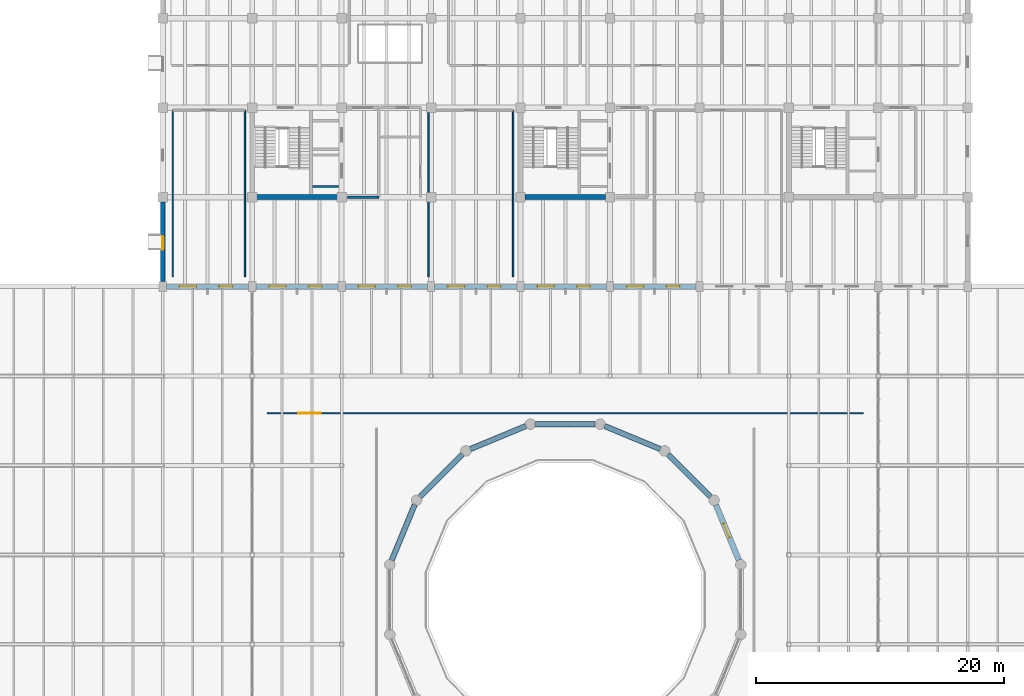
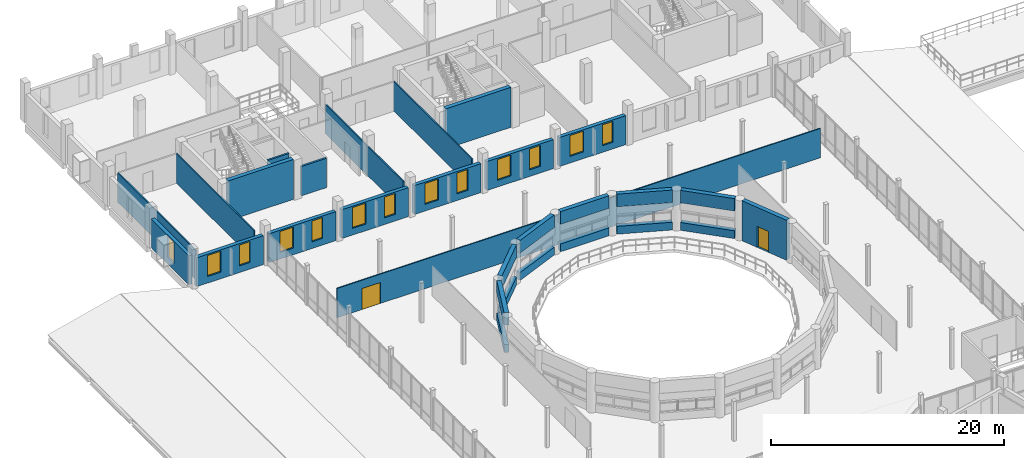
# One storey, part 51 of 63: 29 walls, 13 windows, 2 doors, 15 openings.
"""IFC4 building model written with IfcOpenShell, lengths in metres."""

import ifcopenshell
import ifcopenshell.guid

model = None  # the IFC model being written
_history = None  # IfcOwnerHistory: only IFC2X3 demands one
_inside = {}  # id of a spatial element -> (the spatial element, [elements in it])
_under = {}  # id of a project, library or spatial element -> (it, [spatial elements below it])
_declared = {}  # id of a project -> (the project, [libraries it declares])
_typed = {}  # id of a type object -> (the type object, [elements of that type])
_made_of = {}  # id of a material, layer set ... -> (it, [elements and type objects made of it])


def new_model(schema):
    """Start an empty IFC model of exactly this schema.

    Asked for "IFC4X3", IfcOpenShell would pick the latest addendum, in which some entities
    have other attributes; the version numbers below select the first issue.
    IFC2X3 requires an IfcOwnerHistory on every rooted entity: one is made here for all.
    """
    global model, _history
    if schema == "IFC4X3":
        model = ifcopenshell.file(schema_version=(4, 3, 0, 0))
    else:
        model = ifcopenshell.file(schema=schema)
    _inside.clear()
    _under.clear()
    _declared.clear()
    _typed.clear()
    _made_of.clear()
    _history = None
    if model.schema == "IFC2X3":
        org = make("IfcOrganization", Name="unknown")
        user = make(
            "IfcPersonAndOrganization",
            ThePerson=make("IfcPerson", FamilyName="unknown"),
            TheOrganization=org,
        )
        app = make(
            "IfcApplication",
            ApplicationDeveloper=org,
            Version="unknown",
            ApplicationFullName="unknown",
            ApplicationIdentifier="unknown",
        )
        _history = make(
            "IfcOwnerHistory",
            OwningUser=user,
            OwningApplication=app,
            ChangeAction="ADDED",
            CreationDate=0,
        )
    return model


def make(cls, **values):
    """One entity of the class cls with the attributes given. An attribute that is None is left unset."""
    return model.create_entity(
        cls, **{name: value for name, value in values.items() if value is not None}
    )


def rooted(cls, **values):
    """An entity with a GlobalId (a new one), such as an element, a storey or a relation."""
    return make(cls, GlobalId=ifcopenshell.guid.new(), OwnerHistory=_history, **values)


def si_unit(unit_type, name, prefix=None):
    """IfcSIUnit, for example si_unit("LENGTHUNIT", "METRE", prefix="MILLI")."""
    return make("IfcSIUnit", UnitType=unit_type, Prefix=prefix, Name=name)


def assignment(units):
    """IfcUnitAssignment: the units of a project."""
    return None if units is None else make("IfcUnitAssignment", Units=units)


def point(xyz):
    """IfcCartesianPoint."""
    return None if xyz is None else make("IfcCartesianPoint", Coordinates=xyz)


def direction(xyz):
    """IfcDirection."""
    return None if xyz is None else make("IfcDirection", DirectionRatios=xyz)


def frame(location, z_axis=None, x_axis=None):
    """IfcAxis2Placement3D, a coordinate frame: its origin and axes. An axis left out is left unset."""
    return make(
        "IfcAxis2Placement3D",
        Location=point(location),
        Axis=direction(z_axis),
        RefDirection=direction(x_axis),
    )


def frame_2d(location, x_axis=None):
    """IfcAxis2Placement2D, a coordinate frame in the plane: its origin and x axis."""
    return make(
        "IfcAxis2Placement2D", Location=point(location), RefDirection=direction(x_axis)
    )


def origin():
    """The frame at (0, 0, 0) with its axes left unset."""
    return frame((0.0, 0.0, 0.0))


def place(relative_to, where):
    """IfcLocalPlacement: puts the frame where relative to a parent placement (None: the world)."""
    return make(
        "IfcLocalPlacement", PlacementRelTo=relative_to, RelativePlacement=where
    )


def context(
    kind, dimensions, precision=None, world=None, true_north=None, identifier=None
):
    """IfcGeometricRepresentationContext, for example the 3D "Model" context."""
    return make(
        "IfcGeometricRepresentationContext",
        ContextIdentifier=identifier,
        ContextType=kind,
        CoordinateSpaceDimension=dimensions,
        Precision=precision,
        WorldCoordinateSystem=world,
        TrueNorth=true_north,
    )


def subcontext(parent, identifier, kind, view, scale=None):
    """IfcGeometricRepresentationSubContext, for example "Body" below "Model"."""
    return make(
        "IfcGeometricRepresentationSubContext",
        ContextIdentifier=identifier,
        ContextType=kind,
        ParentContext=parent,
        TargetScale=scale,
        TargetView=view,
    )


def project(units=None, contexts=None):
    """IfcProject with its units and contexts."""
    return rooted(
        "IfcProject",
        Name="project",
        RepresentationContexts=contexts,
        UnitsInContext=assignment(units),
    )


def spatial(cls, under=None, at=None, **own):
    """A site, building, storey or space (cls), placed at a placement, below another one or the project."""
    s = rooted(cls, ObjectPlacement=at, **own)
    if under is not None:
        _under.setdefault(under.id(), (under, []))[1].append(s)
    return s


def profile(cls, at=None, kind="AREA", **sizes):
    """A parametric profile (cls). Its sizes go by their IFC names, for example OverallWidth=200.0."""
    return make(cls, ProfileType=kind, Position=at, **sizes)


def rectangle(**sizes):
    """IfcRectangleProfileDef."""
    return profile("IfcRectangleProfileDef", **sizes)


def extrude(swept, where, along, depth):
    """IfcExtrudedAreaSolid: the profile swept, set in the frame where, extruded along a direction by depth."""
    return make(
        "IfcExtrudedAreaSolid",
        SweptArea=swept,
        Position=where,
        ExtrudedDirection=direction(along),
        Depth=depth,
    )


def shape(context_of_items, identifier, shape_type, items):
    """IfcShapeRepresentation: the items that make up one representation, for example the "Body"."""
    return make(
        "IfcShapeRepresentation",
        ContextOfItems=context_of_items,
        RepresentationIdentifier=identifier,
        RepresentationType=shape_type,
        Items=items,
    )


def material(Name=None, Category=None):
    """IfcMaterial."""
    return make("IfcMaterial", Name=Name, Category=Category)


def layer(
    of_material, thickness, ventilated=None, Name=None, Category=None, Priority=None
):
    """IfcMaterialLayer: one layer of a wall or slab, of a material (None: an air gap)."""
    return make(
        "IfcMaterialLayer",
        Material=of_material,
        LayerThickness=thickness,
        IsVentilated=ventilated,
        Name=Name,
        Category=Category,
        Priority=Priority,
    )


def layer_set(layers, Name=None):
    """IfcMaterialLayerSet."""
    return make("IfcMaterialLayerSet", MaterialLayers=layers, LayerSetName=Name)


def made_of(thing, what):
    """Note that an element or type object is made of a material, layer set ...; save() writes the relation."""
    if what is not None:
        _made_of.setdefault(what.id(), (what, []))[1].append(thing)
    return thing


def type_object(cls, material=None, **own):
    """A type object (cls), such as IfcWallType, which elements share."""
    return made_of(rooted(cls, **own), material)


def element(
    cls,
    number,
    at=None,
    inside=None,
    cuts=None,
    type_object=None,
    material=None,
    context=None,
    identifier="Body",
    shape_type=None,
    held_by="IfcProductDefinitionShape",
    body=None,
    shapes=None,
    **own,
):
    """One element of the class cls, such as IfcWall. Its Tag is "e" and its number.

    at: its placement. inside: the storey or other place that contains it. cuts: it is an
    opening in that element (IfcRelVoidsElement). A single representation is given by context,
    identifier, shape_type and body (its items); several are given by shapes. held_by: the class
    of the entity that holds the representations. save() writes the other relations.
    """
    e = rooted(cls, Tag="e%d" % number, ObjectPlacement=at, **own)
    if body is not None:
        shapes = [shape(context, identifier, shape_type, body)]
    if shapes is not None:
        e.Representation = make(held_by, Representations=shapes)
    if inside is not None:
        _inside.setdefault(inside.id(), (inside, []))[1].append(e)
    if cuts is not None:
        rooted(
            "IfcRelVoidsElement", RelatingBuildingElement=cuts, RelatedOpeningElement=e
        )
    if type_object is not None:
        _typed.setdefault(type_object.id(), (type_object, []))[1].append(e)
    return made_of(e, material)


def fill(opening, filler):
    """IfcRelFillsElement: the door or window that sits in an opening."""
    return rooted(
        "IfcRelFillsElement",
        RelatingOpeningElement=opening,
        RelatedBuildingElement=filler,
    )


def aggregate(whole, parts):
    """IfcRelAggregates: a whole, such as a stair, and the parts it consists of."""
    return rooted("IfcRelAggregates", RelatingObject=whole, RelatedObjects=parts)


def save(model, path):
    """Write the relations noted so far, then the file.

    IfcRelAggregates (storeys below a building ...), IfcRelContainedInSpatialStructure (elements
    in a storey), IfcRelDefinesByType, IfcRelAssociatesMaterial and IfcRelDeclares: one each for
    every whole, place, type object, material and project.
    """
    for whole, parts in _under.values():
        aggregate(whole, parts)
    for where, things in _inside.values():
        rooted(
            "IfcRelContainedInSpatialStructure",
            RelatedElements=things,
            RelatingStructure=where,
        )
    for kind, things in _typed.values():
        rooted("IfcRelDefinesByType", RelatedObjects=things, RelatingType=kind)
    for what, things in _made_of.values():
        rooted("IfcRelAssociatesMaterial", RelatedObjects=things, RelatingMaterial=what)
    for by, libraries in _declared.values():
        rooted("IfcRelDeclares", RelatingContext=by, RelatedDefinitions=libraries)
    model.write(path)


model = new_model("IFC4")

# Units and contexts
model_context = context("Model", 3, precision=1e-05, world=origin(), true_north=direction((0.0, 1.0)))
body_context = subcontext(model_context, "Body", "Model", "MODEL_VIEW")
ifc_project = project(units=[si_unit("LENGTHUNIT", "METRE"), si_unit("AREAUNIT", "SQUARE_METRE"), si_unit("VOLUMEUNIT", "CUBIC_METRE"), si_unit("PLANEANGLEUNIT", "RADIAN"), si_unit("MASSUNIT", "GRAM", prefix="KILO")], contexts=[model_context])

# Site, building, storey
site_placement = place(None, origin())
site = spatial("IfcSite", under=ifc_project, at=site_placement, CompositionType="ELEMENT")
building_placement = place(site_placement, origin())
building = spatial("IfcBuilding", under=site, at=building_placement, Name="Qiaolan Assembly House", CompositionType="ELEMENT")
storey_placement = place(building_placement, frame((0.0, 0.0, 14.39990234375)))
storey = spatial("IfcBuildingStorey", under=building, at=storey_placement, Name="L03", CompositionType="ELEMENT", Elevation=14.39990234375)

# Walls
ifc_material_1 = material(Name="Concrete C45/55", Category="concrete")
ifc_layer_1 = layer(ifc_material_1, 0.39990234375)
ifc_layer_set_1 = layer_set([ifc_layer_1], Name="Concrete C45/55")
wall_type_1 = type_object("IfcWallType", Name="WAL-CORE-400", PredefinedType="SHEAR", material=ifc_layer_set_1)
for number, where, z_axis, x_axis, name in (
    (1, (43.550048828125, 93.60009765625, 0.0), (0.0, 0.0, 1.0), (1.0, 0.0, 0.0), "CW-400 shear core wall CORE-A S L03"),
    (2, (65.14990234375, 93.60009765625, 0.0), (0.0, 0.0, 1.0), (1.0, 0.0, 0.0), "CW-400 shear core wall CORE-B S L03"),
):
    element("IfcWall", number, at=place(storey_placement, frame(where, z_axis=z_axis, x_axis=x_axis)), inside=storey, type_object=wall_type_1, Name=name, PredefinedType="SHEAR", context=body_context, shape_type="SweptSolid", body=[
        extrude(rectangle(XDim=6.5, YDim=0.39990234375, at=frame_2d((3.25, 0.0))), origin(), (0.0, 0.0, 1.0), 4.2001953125),
    ])

# Wall, opening, door
ifc_material_2 = material(Name="Concrete C50/60", Category="concrete")
ifc_layer_2 = layer(ifc_material_2, 0.419921875)
ifc_layer_set_2 = layer_set([ifc_layer_2], Name="Concrete C50/60")
wall_type_2 = type_object("IfcWallType", Name="WAL-DRUM-420", PredefinedType="SHEAR", material=ifc_layer_set_2)
wall_1_placement = place(storey_placement, frame((80.526123046875, 68.83056640625, 0.0), z_axis=(0.0, 0.0, 1.0), x_axis=(0.382693375129, -0.923875414021, 0.0)))
wall_1 = element("IfcWall", 3, at=wall_1_placement, inside=storey, type_object=wall_type_2, Name="DW-420 council chamber drum acoustic access wall 1 L03", PredefinedType="SHEAR", context=body_context, shape_type="SweptSolid", body=[
    extrude(rectangle(XDim=4.818359375, YDim=0.419921875, at=frame_2d((2.4091796875, 0.0))), origin(), (0.0, 0.0, 1.0), 4.2001953125),
])
opening_1_placement = place(wall_1_placement, frame((1.64990234375, 0.0, 0.0)))
opening_1 = element("IfcOpeningElement", 4, at=opening_1_placement, cuts=wall_1, Name="Opening FD-803", PredefinedType="OPENING", context=body_context, shape_type="SweptSolid", body=[
    extrude(rectangle(XDim=1.199951171875, YDim=2.199951171875, at=frame_2d((0.60009765625, 1.10009765625))), frame((0.0, 0.219970703125, 0.0), z_axis=(0.0, -1.0, 0.0), x_axis=(1.0, 0.0, 0.0)), (0.0, 0.0, 1.0), 0.43994140625),
])
ifc_material_3 = material(Name="Steel Q355B", Category="steel")
door_type_1 = type_object("IfcDoorType", Name="DOR-FIRE-FD90-1200", OperationType="NOTDEFINED", PredefinedType="DOOR", material=ifc_material_3)
door_1_placement = place(opening_1_placement, origin())
door_1 = element("IfcDoor", 5, at=door_1_placement, inside=storey, type_object=door_type_1, Name="Chamber Clerestory Acoustic Ring access door FD-803", OperationType="SINGLE_SWING_RIGHT", OverallHeight=2.199951171875, OverallWidth=1.199951171875, PredefinedType="DOOR", context=body_context, shape_type="SweptSolid", body=[
    extrude(rectangle(XDim=1.199951171875, YDim=2.199951171875, at=frame_2d((0.60009765625, 1.10009765625))), frame((0.0, 0.02490234375, 0.0), z_axis=(0.0, -1.0, 0.0), x_axis=(1.0, 0.0, 0.0)), (0.0, 0.0, 1.0), 0.050048828125),
])
fill(opening_1, door_1)

# Walls
wall_2_placement = place(storey_placement, frame((76.68310546875, 72.890380859375, 0.0), z_axis=(0.0, 0.0, 1.0), x_axis=(0.707106781187, -0.707106781187, 0.0)))
element("IfcWall", 6, at=wall_2_placement, inside=storey, type_object=wall_type_2, Name="DW-420 council chamber drum sill wall 2 L03", PredefinedType="SHEAR", context=body_context, shape_type="SweptSolid", body=[
    extrude(rectangle(XDim=4.818603515625, YDim=0.419921875, at=frame_2d((2.4091796875, 0.0))), origin(), (0.0, 0.0, 1.0), 0.820068359375),
])
wall_3_placement = place(storey_placement, frame((76.68310546875, 72.890380859375, 2.880126953125), z_axis=(0.0, 0.0, 1.0), x_axis=(0.707106781187, -0.707106781187, 0.0)))
element("IfcWall", 7, at=wall_3_placement, inside=storey, type_object=wall_type_2, Name="DW-420 council chamber drum lintel wall 2 L03", PredefinedType="SHEAR", context=body_context, shape_type="SweptSolid", body=[
    extrude(rectangle(XDim=4.818603515625, YDim=0.419921875, at=frame_2d((2.4091796875, 0.0))), origin(), (0.0, 0.0, 1.0), 1.320068359375),
])
wall_4_placement = place(storey_placement, frame((71.578857421875, 75.170166015625, 0.0), z_axis=(0.0, 0.0, 1.0), x_axis=(0.923882834003, -0.382675461762, 0.0)))
element("IfcWall", 8, at=wall_4_placement, inside=storey, type_object=wall_type_2, Name="DW-420 council chamber drum sill wall 3 L03", PredefinedType="SHEAR", context=body_context, shape_type="SweptSolid", body=[
    extrude(rectangle(XDim=4.818603515625, YDim=0.419921875, at=frame_2d((2.4091796875, 0.0))), origin(), (0.0, 0.0, 1.0), 0.820068359375),
])
wall_5_placement = place(storey_placement, frame((71.578857421875, 75.170166015625, 2.880126953125), z_axis=(0.0, 0.0, 1.0), x_axis=(0.923882834003, -0.382675461762, 0.0)))
element("IfcWall", 9, at=wall_5_placement, inside=storey, type_object=wall_type_2, Name="DW-420 council chamber drum lintel wall 3 L03", PredefinedType="SHEAR", context=body_context, shape_type="SweptSolid", body=[
    extrude(rectangle(XDim=4.818603515625, YDim=0.419921875, at=frame_2d((2.4091796875, 0.0))), origin(), (0.0, 0.0, 1.0), 1.320068359375),
])
wall_6_placement = place(storey_placement, frame((65.99072265625, 75.3232421875, 0.0), z_axis=(0.0, 0.0, 1.0), x_axis=(1.0, 0.0, 0.0)))
element("IfcWall", 10, at=wall_6_placement, inside=storey, type_object=wall_type_2, Name="DW-420 council chamber drum sill wall 4 L03", PredefinedType="SHEAR", context=body_context, shape_type="SweptSolid", body=[
    extrude(rectangle(XDim=4.818603515625, YDim=0.419921875, at=frame_2d((2.4091796875, 0.0))), origin(), (0.0, 0.0, 1.0), 0.820068359375),
])
wall_7_placement = place(storey_placement, frame((65.99072265625, 75.3232421875, 2.880126953125), z_axis=(0.0, 0.0, 1.0), x_axis=(1.0, 0.0, 0.0)))
element("IfcWall", 11, at=wall_7_placement, inside=storey, type_object=wall_type_2, Name="DW-420 council chamber drum lintel wall 4 L03", PredefinedType="SHEAR", context=body_context, shape_type="SweptSolid", body=[
    extrude(rectangle(XDim=4.818603515625, YDim=0.419921875, at=frame_2d((2.4091796875, 0.0))), origin(), (0.0, 0.0, 1.0), 1.320068359375),
])
wall_8_placement = place(storey_placement, frame((60.769287109375, 73.326171875, 0.0), z_axis=(0.0, 0.0, 1.0), x_axis=(0.923882834003, 0.382675461762, 0.0)))
element("IfcWall", 12, at=wall_8_placement, inside=storey, type_object=wall_type_2, Name="DW-420 council chamber drum sill wall 5 L03", PredefinedType="SHEAR", context=body_context, shape_type="SweptSolid", body=[
    extrude(rectangle(XDim=4.818603515625, YDim=0.419921875, at=frame_2d((2.4091796875, 0.0))), origin(), (0.0, 0.0, 1.0), 0.820068359375),
])
wall_9_placement = place(storey_placement, frame((60.769287109375, 73.326171875, 2.880126953125), z_axis=(0.0, 0.0, 1.0), x_axis=(0.923882834003, 0.382675461762, 0.0)))
element("IfcWall", 13, at=wall_9_placement, inside=storey, type_object=wall_type_2, Name="DW-420 council chamber drum lintel wall 5 L03", PredefinedType="SHEAR", context=body_context, shape_type="SweptSolid", body=[
    extrude(rectangle(XDim=4.818603515625, YDim=0.419921875, at=frame_2d((2.4091796875, 0.0))), origin(), (0.0, 0.0, 1.0), 1.320068359375),
])
wall_10_placement = place(storey_placement, frame((56.709716796875, 69.483154296875, 0.0), z_axis=(0.0, 0.0, 1.0), x_axis=(0.707106781187, 0.707106781187, 0.0)))
element("IfcWall", 14, at=wall_10_placement, inside=storey, type_object=wall_type_2, Name="DW-420 council chamber drum sill wall 6 L03", PredefinedType="SHEAR", context=body_context, shape_type="SweptSolid", body=[
    extrude(rectangle(XDim=4.818603515625, YDim=0.419921875, at=frame_2d((2.4091796875, 0.0))), origin(), (0.0, 0.0, 1.0), 0.820068359375),
])
wall_11_placement = place(storey_placement, frame((56.709716796875, 69.483154296875, 2.880126953125), z_axis=(0.0, 0.0, 1.0), x_axis=(0.707106781187, 0.707106781187, 0.0)))
element("IfcWall", 15, at=wall_11_placement, inside=storey, type_object=wall_type_2, Name="DW-420 council chamber drum lintel wall 6 L03", PredefinedType="SHEAR", context=body_context, shape_type="SweptSolid", body=[
    extrude(rectangle(XDim=4.818603515625, YDim=0.419921875, at=frame_2d((2.4091796875, 0.0))), origin(), (0.0, 0.0, 1.0), 1.320068359375),
])
wall_12_placement = place(storey_placement, frame((54.4296875, 64.37890625, 0.0), z_axis=(0.0, 0.0, 1.0), x_axis=(0.382693375129, 0.923875414021, 0.0)))
element("IfcWall", 16, at=wall_12_placement, inside=storey, type_object=wall_type_2, Name="DW-420 council chamber drum sill wall 7 L03", PredefinedType="SHEAR", context=body_context, shape_type="SweptSolid", body=[
    extrude(rectangle(XDim=4.818359375, YDim=0.419921875, at=frame_2d((2.4091796875, 0.0))), origin(), (0.0, 0.0, 1.0), 0.820068359375),
])
wall_13_placement = place(storey_placement, frame((54.4296875, 64.37890625, 2.880126953125), z_axis=(0.0, 0.0, 1.0), x_axis=(0.382693375129, 0.923875414021, 0.0)))
element("IfcWall", 17, at=wall_13_placement, inside=storey, type_object=wall_type_2, Name="DW-420 council chamber drum lintel wall 7 L03", PredefinedType="SHEAR", context=body_context, shape_type="SweptSolid", body=[
    extrude(rectangle(XDim=4.818359375, YDim=0.419921875, at=frame_2d((2.4091796875, 0.0))), origin(), (0.0, 0.0, 1.0), 1.320068359375),
])

# Wall, openings, windows
ifc_material_4 = material(Name="Honed pale limestone", Category="masonry")
ifc_layer_3 = layer(ifc_material_4, 0.360107421875)
ifc_layer_set_3 = layer_set([ifc_layer_3], Name="Honed pale limestone")
wall_type_3 = type_object("IfcWallType", Name="WAL-EXT-LIMESTONE-360", PredefinedType="SOLIDWALL", material=ifc_layer_set_3)
wall_14_placement = place(storey_placement, frame((36.2880859375, 86.39990234375, 0.0), z_axis=(0.0, 0.0, 1.0), x_axis=(1.0, 0.0, 0.0)))
wall_14 = element("IfcWall", 18, at=wall_14_placement, inside=storey, type_object=wall_type_3, Name="EW-360 NW South court wall L03 bay 1", PredefinedType="SOLIDWALL", context=body_context, shape_type="SweptSolid", body=[
    extrude(rectangle(XDim=6.6240234375, YDim=0.360107421875, at=frame_2d((3.31201171875, 0.0))), origin(), (0.0, 0.0, 1.0), 3.0400390625),
])
opening_2_placement = place(wall_14_placement, frame((1.06201171875, 0.0, 0.699951171875)))
opening_2 = element("IfcOpeningElement", 19, at=opening_2_placement, cuts=wall_14, Name="Opening WN-086", PredefinedType="OPENING", context=body_context, shape_type="SweptSolid", body=[
    extrude(rectangle(XDim=1.35009765625, YDim=2.18994140625, at=frame_2d((0.675048828125, 1.094970703125))), frame((0.0, 0.18994140625, 0.0), z_axis=(0.0, -1.0, 0.0), x_axis=(1.0, 0.0, 0.0)), (0.0, 0.0, 1.0), 0.380126953125),
])
opening_3_placement = place(wall_14_placement, frame((4.261962890625, 0.0, 0.699951171875)))
opening_3 = element("IfcOpeningElement", 20, at=opening_3_placement, cuts=wall_14, Name="Opening WN-087", PredefinedType="OPENING", context=body_context, shape_type="SweptSolid", body=[
    extrude(rectangle(XDim=1.050048828125, YDim=2.18994140625, at=frame_2d((0.52490234375, 1.094970703125))), frame((0.0, 0.18994140625, 0.0), z_axis=(0.0, -1.0, 0.0), x_axis=(1.0, 0.0, 0.0)), (0.0, 0.0, 1.0), 0.380126953125),
])
ifc_material_5 = material(Name="Low-E double insulating glass", Category="glass")
window_type_1 = type_object("IfcWindowType", Name="WIN-COURT-1350x2400", PartitioningType="DOUBLE_PANEL_VERTICAL", PredefinedType="WINDOW", material=ifc_material_5)
window_1_placement = place(opening_2_placement, origin())
window_1 = element("IfcWindow", 21, at=window_1_placement, inside=storey, type_object=window_type_1, Name="WN-T04 court window WN-086", OverallHeight=2.18994140625, OverallWidth=1.35009765625, PartitioningType="DOUBLE_PANEL_VERTICAL", PredefinedType="WINDOW", context=body_context, shape_type="SweptSolid", body=[
    extrude(rectangle(XDim=1.35009765625, YDim=2.18994140625, at=frame_2d((0.675048828125, 1.094970703125))), frame((0.0, 0.030029296875, 0.0), z_axis=(0.0, -1.0, 0.0), x_axis=(1.0, 0.0, 0.0)), (0.0, 0.0, 1.0), 0.06005859375),
])
fill(opening_2, window_1)
window_type_2 = type_object("IfcWindowType", Name="WIN-PUNCH-1050x2400", PartitioningType="SINGLE_PANEL", PredefinedType="WINDOW", material=ifc_material_5)
window_2_placement = place(opening_3_placement, origin())
window_2 = element("IfcWindow", 22, at=window_2_placement, inside=storey, type_object=window_type_2, Name="WN-T05 court window WN-087", OverallHeight=2.18994140625, OverallWidth=1.050048828125, PartitioningType="SINGLE_PANEL", PredefinedType="WINDOW", context=body_context, shape_type="SweptSolid", body=[
    extrude(rectangle(XDim=1.050048828125, YDim=2.18994140625, at=frame_2d((0.52490234375, 1.094970703125))), frame((0.0, 0.030029296875, 0.0), z_axis=(0.0, -1.0, 0.0), x_axis=(1.0, 0.0, 0.0)), (0.0, 0.0, 1.0), 0.06005859375),
])
fill(opening_3, window_2)

wall_15_placement = place(storey_placement, frame((43.488037109375, 86.39990234375, 0.0), z_axis=(0.0, 0.0, 1.0), x_axis=(1.0, 0.0, 0.0)))
wall_15 = element("IfcWall", 23, at=wall_15_placement, inside=storey, type_object=wall_type_3, Name="EW-360 NW South court wall L03 bay 2", PredefinedType="SOLIDWALL", context=body_context, shape_type="SweptSolid", body=[
    extrude(rectangle(XDim=6.6240234375, YDim=0.360107421875, at=frame_2d((3.31201171875, 0.0))), origin(), (0.0, 0.0, 1.0), 3.0400390625),
])
opening_4_placement = place(wall_15_placement, frame((1.06201171875, 0.0, 0.699951171875)))
opening_4 = element("IfcOpeningElement", 24, at=opening_4_placement, cuts=wall_15, Name="Opening WN-088", PredefinedType="OPENING", context=body_context, shape_type="SweptSolid", body=[
    extrude(rectangle(XDim=1.35009765625, YDim=2.18994140625, at=frame_2d((0.675048828125, 1.094970703125))), frame((0.0, 0.18994140625, 0.0), z_axis=(0.0, -1.0, 0.0), x_axis=(1.0, 0.0, 0.0)), (0.0, 0.0, 1.0), 0.380126953125),
])
opening_5_placement = place(wall_15_placement, frame((4.261962890625, 0.0, 0.699951171875)))
opening_5 = element("IfcOpeningElement", 25, at=opening_5_placement, cuts=wall_15, Name="Opening WN-089", PredefinedType="OPENING", context=body_context, shape_type="SweptSolid", body=[
    extrude(rectangle(XDim=1.050048828125, YDim=2.18994140625, at=frame_2d((0.52490234375, 1.094970703125))), frame((0.0, 0.18994140625, 0.0), z_axis=(0.0, -1.0, 0.0), x_axis=(1.0, 0.0, 0.0)), (0.0, 0.0, 1.0), 0.380126953125),
])
window_3_placement = place(opening_4_placement, origin())
window_3 = element("IfcWindow", 26, at=window_3_placement, inside=storey, type_object=window_type_1, Name="WN-T04 court window WN-088", OverallHeight=2.18994140625, OverallWidth=1.35009765625, PartitioningType="DOUBLE_PANEL_VERTICAL", PredefinedType="WINDOW", context=body_context, shape_type="SweptSolid", body=[
    extrude(rectangle(XDim=1.35009765625, YDim=2.18994140625, at=frame_2d((0.675048828125, 1.094970703125))), frame((0.0, 0.030029296875, 0.0), z_axis=(0.0, -1.0, 0.0), x_axis=(1.0, 0.0, 0.0)), (0.0, 0.0, 1.0), 0.06005859375),
])
fill(opening_4, window_3)
window_4_placement = place(opening_5_placement, origin())
window_4 = element("IfcWindow", 27, at=window_4_placement, inside=storey, type_object=window_type_2, Name="WN-T05 court window WN-089", OverallHeight=2.18994140625, OverallWidth=1.050048828125, PartitioningType="SINGLE_PANEL", PredefinedType="WINDOW", context=body_context, shape_type="SweptSolid", body=[
    extrude(rectangle(XDim=1.050048828125, YDim=2.18994140625, at=frame_2d((0.52490234375, 1.094970703125))), frame((0.0, 0.030029296875, 0.0), z_axis=(0.0, -1.0, 0.0), x_axis=(1.0, 0.0, 0.0)), (0.0, 0.0, 1.0), 0.06005859375),
])
fill(opening_5, window_4)

wall_16_placement = place(storey_placement, frame((50.68798828125, 86.39990234375, 0.0), z_axis=(0.0, 0.0, 1.0), x_axis=(1.0, 0.0, 0.0)))
wall_16 = element("IfcWall", 28, at=wall_16_placement, inside=storey, type_object=wall_type_3, Name="EW-360 NW South court wall L03 bay 3", PredefinedType="SOLIDWALL", context=body_context, shape_type="SweptSolid", body=[
    extrude(rectangle(XDim=6.6240234375, YDim=0.360107421875, at=frame_2d((3.31201171875, 0.0))), origin(), (0.0, 0.0, 1.0), 3.0400390625),
])
opening_6_placement = place(wall_16_placement, frame((1.06201171875, 0.0, 0.699951171875)))
opening_6 = element("IfcOpeningElement", 29, at=opening_6_placement, cuts=wall_16, Name="Opening WN-090", PredefinedType="OPENING", context=body_context, shape_type="SweptSolid", body=[
    extrude(rectangle(XDim=1.35009765625, YDim=2.18994140625, at=frame_2d((0.675048828125, 1.094970703125))), frame((0.0, 0.18994140625, 0.0), z_axis=(0.0, -1.0, 0.0), x_axis=(1.0, 0.0, 0.0)), (0.0, 0.0, 1.0), 0.380126953125),
])
opening_7_placement = place(wall_16_placement, frame((4.261962890625, 0.0, 0.699951171875)))
opening_7 = element("IfcOpeningElement", 30, at=opening_7_placement, cuts=wall_16, Name="Opening WN-091", PredefinedType="OPENING", context=body_context, shape_type="SweptSolid", body=[
    extrude(rectangle(XDim=1.050048828125, YDim=2.18994140625, at=frame_2d((0.52490234375, 1.094970703125))), frame((0.0, 0.18994140625, 0.0), z_axis=(0.0, -1.0, 0.0), x_axis=(1.0, 0.0, 0.0)), (0.0, 0.0, 1.0), 0.380126953125),
])
window_5_placement = place(opening_6_placement, origin())
window_5 = element("IfcWindow", 31, at=window_5_placement, inside=storey, type_object=window_type_1, Name="WN-T04 court window WN-090", OverallHeight=2.18994140625, OverallWidth=1.35009765625, PartitioningType="DOUBLE_PANEL_VERTICAL", PredefinedType="WINDOW", context=body_context, shape_type="SweptSolid", body=[
    extrude(rectangle(XDim=1.35009765625, YDim=2.18994140625, at=frame_2d((0.675048828125, 1.094970703125))), frame((0.0, 0.030029296875, 0.0), z_axis=(0.0, -1.0, 0.0), x_axis=(1.0, 0.0, 0.0)), (0.0, 0.0, 1.0), 0.06005859375),
])
fill(opening_6, window_5)
window_6_placement = place(opening_7_placement, origin())
window_6 = element("IfcWindow", 32, at=window_6_placement, inside=storey, type_object=window_type_2, Name="WN-T05 court window WN-091", OverallHeight=2.18994140625, OverallWidth=1.050048828125, PartitioningType="SINGLE_PANEL", PredefinedType="WINDOW", context=body_context, shape_type="SweptSolid", body=[
    extrude(rectangle(XDim=1.050048828125, YDim=2.18994140625, at=frame_2d((0.52490234375, 1.094970703125))), frame((0.0, 0.030029296875, 0.0), z_axis=(0.0, -1.0, 0.0), x_axis=(1.0, 0.0, 0.0)), (0.0, 0.0, 1.0), 0.06005859375),
])
fill(opening_7, window_6)

wall_17_placement = place(storey_placement, frame((57.887939453125, 86.39990234375, 0.0), z_axis=(0.0, 0.0, 1.0), x_axis=(1.0, 0.0, 0.0)))
wall_17 = element("IfcWall", 33, at=wall_17_placement, inside=storey, type_object=wall_type_3, Name="EW-360 NW South court wall L03 bay 4", PredefinedType="SOLIDWALL", context=body_context, shape_type="SweptSolid", body=[
    extrude(rectangle(XDim=6.6240234375, YDim=0.360107421875, at=frame_2d((3.31201171875, 0.0))), origin(), (0.0, 0.0, 1.0), 3.0400390625),
])
opening_8_placement = place(wall_17_placement, frame((1.06201171875, 0.0, 0.699951171875)))
opening_8 = element("IfcOpeningElement", 34, at=opening_8_placement, cuts=wall_17, Name="Opening WN-092", PredefinedType="OPENING", context=body_context, shape_type="SweptSolid", body=[
    extrude(rectangle(XDim=1.35009765625, YDim=2.18994140625, at=frame_2d((0.675048828125, 1.094970703125))), frame((0.0, 0.18994140625, 0.0), z_axis=(0.0, -1.0, 0.0), x_axis=(1.0, 0.0, 0.0)), (0.0, 0.0, 1.0), 0.380126953125),
])
opening_9_placement = place(wall_17_placement, frame((4.261962890625, 0.0, 0.699951171875)))
opening_9 = element("IfcOpeningElement", 35, at=opening_9_placement, cuts=wall_17, Name="Opening WN-093", PredefinedType="OPENING", context=body_context, shape_type="SweptSolid", body=[
    extrude(rectangle(XDim=1.050048828125, YDim=2.18994140625, at=frame_2d((0.52490234375, 1.094970703125))), frame((0.0, 0.18994140625, 0.0), z_axis=(0.0, -1.0, 0.0), x_axis=(1.0, 0.0, 0.0)), (0.0, 0.0, 1.0), 0.380126953125),
])
window_7_placement = place(opening_8_placement, origin())
window_7 = element("IfcWindow", 36, at=window_7_placement, inside=storey, type_object=window_type_1, Name="WN-T04 court window WN-092", OverallHeight=2.18994140625, OverallWidth=1.35009765625, PartitioningType="DOUBLE_PANEL_VERTICAL", PredefinedType="WINDOW", context=body_context, shape_type="SweptSolid", body=[
    extrude(rectangle(XDim=1.35009765625, YDim=2.18994140625, at=frame_2d((0.675048828125, 1.094970703125))), frame((0.0, 0.030029296875, 0.0), z_axis=(0.0, -1.0, 0.0), x_axis=(1.0, 0.0, 0.0)), (0.0, 0.0, 1.0), 0.06005859375),
])
fill(opening_8, window_7)
window_8_placement = place(opening_9_placement, origin())
window_8 = element("IfcWindow", 37, at=window_8_placement, inside=storey, type_object=window_type_2, Name="WN-T05 court window WN-093", OverallHeight=2.18994140625, OverallWidth=1.050048828125, PartitioningType="SINGLE_PANEL", PredefinedType="WINDOW", context=body_context, shape_type="SweptSolid", body=[
    extrude(rectangle(XDim=1.050048828125, YDim=2.18994140625, at=frame_2d((0.52490234375, 1.094970703125))), frame((0.0, 0.030029296875, 0.0), z_axis=(0.0, -1.0, 0.0), x_axis=(1.0, 0.0, 0.0)), (0.0, 0.0, 1.0), 0.06005859375),
])
fill(opening_9, window_8)

wall_18_placement = place(storey_placement, frame((65.087890625, 86.39990234375, 0.0), z_axis=(0.0, 0.0, 1.0), x_axis=(1.0, 0.0, 0.0)))
wall_18 = element("IfcWall", 38, at=wall_18_placement, inside=storey, type_object=wall_type_3, Name="EW-360 NW South court wall L03 bay 5", PredefinedType="SOLIDWALL", context=body_context, shape_type="SweptSolid", body=[
    extrude(rectangle(XDim=6.6240234375, YDim=0.360107421875, at=frame_2d((3.31201171875, 0.0))), origin(), (0.0, 0.0, 1.0), 3.0400390625),
])
opening_10_placement = place(wall_18_placement, frame((1.06201171875, 0.0, 0.699951171875)))
opening_10 = element("IfcOpeningElement", 39, at=opening_10_placement, cuts=wall_18, Name="Opening WN-094", PredefinedType="OPENING", context=body_context, shape_type="SweptSolid", body=[
    extrude(rectangle(XDim=1.35009765625, YDim=2.18994140625, at=frame_2d((0.675048828125, 1.094970703125))), frame((0.0, 0.18994140625, 0.0), z_axis=(0.0, -1.0, 0.0), x_axis=(1.0, 0.0, 0.0)), (0.0, 0.0, 1.0), 0.380126953125),
])
opening_11_placement = place(wall_18_placement, frame((4.261962890625, 0.0, 0.699951171875)))
opening_11 = element("IfcOpeningElement", 40, at=opening_11_placement, cuts=wall_18, Name="Opening WN-095", PredefinedType="OPENING", context=body_context, shape_type="SweptSolid", body=[
    extrude(rectangle(XDim=1.050048828125, YDim=2.18994140625, at=frame_2d((0.52490234375, 1.094970703125))), frame((0.0, 0.18994140625, 0.0), z_axis=(0.0, -1.0, 0.0), x_axis=(1.0, 0.0, 0.0)), (0.0, 0.0, 1.0), 0.380126953125),
])
window_9_placement = place(opening_10_placement, origin())
window_9 = element("IfcWindow", 41, at=window_9_placement, inside=storey, type_object=window_type_1, Name="WN-T04 court window WN-094", OverallHeight=2.18994140625, OverallWidth=1.35009765625, PartitioningType="DOUBLE_PANEL_VERTICAL", PredefinedType="WINDOW", context=body_context, shape_type="SweptSolid", body=[
    extrude(rectangle(XDim=1.35009765625, YDim=2.18994140625, at=frame_2d((0.675048828125, 1.094970703125))), frame((0.0, 0.030029296875, 0.0), z_axis=(0.0, -1.0, 0.0), x_axis=(1.0, 0.0, 0.0)), (0.0, 0.0, 1.0), 0.06005859375),
])
fill(opening_10, window_9)
window_10_placement = place(opening_11_placement, origin())
window_10 = element("IfcWindow", 42, at=window_10_placement, inside=storey, type_object=window_type_2, Name="WN-T05 court window WN-095", OverallHeight=2.18994140625, OverallWidth=1.050048828125, PartitioningType="SINGLE_PANEL", PredefinedType="WINDOW", context=body_context, shape_type="SweptSolid", body=[
    extrude(rectangle(XDim=1.050048828125, YDim=2.18994140625, at=frame_2d((0.52490234375, 1.094970703125))), frame((0.0, 0.030029296875, 0.0), z_axis=(0.0, -1.0, 0.0), x_axis=(1.0, 0.0, 0.0)), (0.0, 0.0, 1.0), 0.06005859375),
])
fill(opening_11, window_10)

wall_19_placement = place(storey_placement, frame((72.2880859375, 86.39990234375, 0.0), z_axis=(0.0, 0.0, 1.0), x_axis=(1.0, 0.0, 0.0)))
wall_19 = element("IfcWall", 43, at=wall_19_placement, inside=storey, type_object=wall_type_3, Name="EW-360 NW South court wall L03 bay 6", PredefinedType="SOLIDWALL", context=body_context, shape_type="SweptSolid", body=[
    extrude(rectangle(XDim=6.6240234375, YDim=0.360107421875, at=frame_2d((3.31201171875, 0.0))), origin(), (0.0, 0.0, 1.0), 3.0400390625),
])
opening_12_placement = place(wall_19_placement, frame((1.06201171875, 0.0, 0.699951171875)))
opening_12 = element("IfcOpeningElement", 44, at=opening_12_placement, cuts=wall_19, Name="Opening WN-096", PredefinedType="OPENING", context=body_context, shape_type="SweptSolid", body=[
    extrude(rectangle(XDim=1.35009765625, YDim=2.18994140625, at=frame_2d((0.675048828125, 1.094970703125))), frame((0.0, 0.18994140625, 0.0), z_axis=(0.0, -1.0, 0.0), x_axis=(1.0, 0.0, 0.0)), (0.0, 0.0, 1.0), 0.380126953125),
])
opening_13_placement = place(wall_19_placement, frame((4.261962890625, 0.0, 0.699951171875)))
opening_13 = element("IfcOpeningElement", 45, at=opening_13_placement, cuts=wall_19, Name="Opening WN-097", PredefinedType="OPENING", context=body_context, shape_type="SweptSolid", body=[
    extrude(rectangle(XDim=1.050048828125, YDim=2.18994140625, at=frame_2d((0.52490234375, 1.094970703125))), frame((0.0, 0.18994140625, 0.0), z_axis=(0.0, -1.0, 0.0), x_axis=(1.0, 0.0, 0.0)), (0.0, 0.0, 1.0), 0.380126953125),
])
window_11_placement = place(opening_12_placement, origin())
window_11 = element("IfcWindow", 46, at=window_11_placement, inside=storey, type_object=window_type_1, Name="WN-T04 court window WN-096", OverallHeight=2.18994140625, OverallWidth=1.35009765625, PartitioningType="DOUBLE_PANEL_VERTICAL", PredefinedType="WINDOW", context=body_context, shape_type="SweptSolid", body=[
    extrude(rectangle(XDim=1.35009765625, YDim=2.18994140625, at=frame_2d((0.675048828125, 1.094970703125))), frame((0.0, 0.030029296875, 0.0), z_axis=(0.0, -1.0, 0.0), x_axis=(1.0, 0.0, 0.0)), (0.0, 0.0, 1.0), 0.06005859375),
])
fill(opening_12, window_11)
window_12_placement = place(opening_13_placement, origin())
window_12 = element("IfcWindow", 47, at=window_12_placement, inside=storey, type_object=window_type_2, Name="WN-T05 court window WN-097", OverallHeight=2.18994140625, OverallWidth=1.050048828125, PartitioningType="SINGLE_PANEL", PredefinedType="WINDOW", context=body_context, shape_type="SweptSolid", body=[
    extrude(rectangle(XDim=1.050048828125, YDim=2.18994140625, at=frame_2d((0.52490234375, 1.094970703125))), frame((0.0, 0.030029296875, 0.0), z_axis=(0.0, -1.0, 0.0), x_axis=(1.0, 0.0, 0.0)), (0.0, 0.0, 1.0), 0.06005859375),
])
fill(opening_13, window_12)

# Wall, opening, window
wall_20_placement = place(storey_placement, frame((36.0, 86.802978515625, 0.0), z_axis=(0.0, 0.0, 1.0), x_axis=(0.0, 1.0, 0.0)))
wall_20 = element("IfcWall", 48, at=wall_20_placement, inside=storey, type_object=wall_type_3, Name="NW West avenue wall L03-1", PredefinedType="SOLIDWALL", context=body_context, shape_type="SweptSolid", body=[
    extrude(rectangle(XDim=6.424072265625, YDim=0.360107421875, at=frame_2d((3.2119140625, 0.0))), origin(), (0.0, 0.0, 1.0), 3.0400390625),
])
opening_14_placement = place(wall_20_placement, frame((2.547119140625, 0.0, 0.699951171875)))
opening_14 = element("IfcOpeningElement", 49, at=opening_14_placement, cuts=wall_20, Name="Opening WN-104", PredefinedType="OPENING", context=body_context, shape_type="SweptSolid", body=[
    extrude(rectangle(XDim=1.10009765625, YDim=2.18994140625, at=frame_2d((0.550048828125, 1.094970703125))), frame((0.0, 0.18994140625, 0.0), z_axis=(0.0, -1.0, 0.0), x_axis=(1.0, 0.0, 0.0)), (0.0, 0.0, 1.0), 0.380126953125),
])
window_type_3 = type_object("IfcWindowType", Name="WIN-BOX-1100x2350", PartitioningType="SINGLE_PANEL", PredefinedType="WINDOW", material=ifc_material_5)
window_13_placement = place(opening_14_placement, origin())
window_13 = element("IfcWindow", 50, at=window_13_placement, inside=storey, type_object=window_type_3, Name="NW West window WN-104", OverallHeight=2.18994140625, OverallWidth=1.10009765625, PartitioningType="SINGLE_PANEL", PredefinedType="WINDOW", context=body_context, shape_type="SweptSolid", body=[
    extrude(rectangle(XDim=1.10009765625, YDim=2.18994140625, at=frame_2d((0.550048828125, 1.094970703125))), frame((0.0, 0.030029296875, 0.0), z_axis=(0.0, -1.0, 0.0), x_axis=(1.0, 0.0, 0.0)), (0.0, 0.0, 1.0), 0.06005859375),
])
fill(opening_14, window_13)

# Walls
ifc_material_6 = material(Name="Concrete C35/45", Category="concrete")
ifc_layer_4 = layer(ifc_material_6, 0.199951171875)
ifc_layer_set_4 = layer_set([ifc_layer_4], Name="Concrete C35/45")
wall_type_4 = type_object("IfcWallType", Name="WAL-LOBBY-200", PredefinedType="PARTITIONING", material=ifc_layer_set_4)
wall_21_placement = place(storey_placement, frame((50.8798828125, 93.60009765625, 0.0), z_axis=(0.0, 0.0, 1.0), x_axis=(1.0, 0.0, 0.0)))
element("IfcWall", 51, at=wall_21_placement, inside=storey, type_object=wall_type_4, Name="Firefighting lift lobby south wall CORE-A L03", PredefinedType="PARTITIONING", context=body_context, shape_type="SweptSolid", body=[
    extrude(rectangle(XDim=2.52001953125, YDim=0.199951171875, at=frame_2d((1.260009765625, 0.0))), origin(), (0.0, 0.0, 1.0), 3.080078125),
])
ifc_material_7 = material(Name="Gypsum plasterboard partition")
ifc_layer_5 = layer(ifc_material_7, 0.1201171875)
ifc_layer_set_5 = layer_set([ifc_layer_5], Name="Gypsum plasterboard partition")
wall_type_5 = type_object("IfcWallType", Name="WAL-PART-120", PredefinedType="PARTITIONING", material=ifc_layer_set_5)
for number, where, z_axis, x_axis, name in (
    (52, (36.800048828125, 87.199951171875, 0.0), (0.0, 0.0, 1.0), (0.0, 1.0, 0.0), "Statutory Mapping & Cadastre Room west wall"),
    (53, (42.60009765625, 100.60009765625, 0.0), (0.0, 0.0, 1.0), (0.0, -1.0, 0.0), "Statutory Mapping & Cadastre Room east wall"),
    (54, (57.39990234375, 87.199951171875, 0.0), (0.0, 0.0, 1.0), (0.0, 1.0, 0.0), "Transport Modelling Project Studio west wall"),
    (55, (64.199951171875, 100.60009765625, 0.0), (0.0, 0.0, 1.0), (0.0, -1.0, 0.0), "Transport Modelling Project Studio east wall"),
):
    element("IfcWall", number, at=place(storey_placement, frame(where, z_axis=z_axis, x_axis=x_axis)), inside=storey, type_object=wall_type_5, Name=name, PredefinedType="PARTITIONING", context=body_context, shape_type="SweptSolid", body=[
        extrude(rectangle(XDim=13.400146484375, YDim=0.1201171875, at=frame_2d((6.7001953125, 0.0))), origin(), (0.0, 0.0, 1.0), 3.080078125),
    ])

# Wall, opening, door
ifc_layer_6 = layer(ifc_material_5, 0.10498046875)
ifc_layer_set_6 = layer_set([ifc_layer_6], Name="Low-E double insulating glass")
wall_type_6 = type_object("IfcWallType", Name="WAL-PART-GLAZED-120", PredefinedType="PARTITIONING", material=ifc_layer_set_6)
wall_22_placement = place(storey_placement, frame((44.39990234375, 76.199951171875, 0.0), z_axis=(0.0, 0.0, 1.0), x_axis=(1.0, 0.0, 0.0)))
wall_22 = element("IfcWall", 56, at=wall_22_placement, inside=storey, type_object=wall_type_6, Name="North Concourse Policy Exhibition & Forum glazed partition", PredefinedType="PARTITIONING", context=body_context, shape_type="SweptSolid", body=[
    extrude(rectangle(XDim=48.0, YDim=0.10498046875, at=frame_2d((24.0, 0.0))), origin(), (0.0, 0.0, 1.0), 3.080078125),
])
opening_15_placement = place(wall_22_placement, frame((2.5, 0.0, 0.0)))
opening_15 = element("IfcOpeningElement", 57, at=opening_15_placement, cuts=wall_22, Name="Opening GD-172", PredefinedType="OPENING", context=body_context, shape_type="SweptSolid", body=[
    extrude(rectangle(XDim=1.800048828125, YDim=2.199951171875, at=frame_2d((0.89990234375, 1.10009765625))), frame((0.0, 0.0625, 0.0), z_axis=(0.0, -1.0, 0.0), x_axis=(1.0, 0.0, 0.0)), (0.0, 0.0, 1.0), 0.125),
])
ifc_material_8 = material(Name="Anodised bronze aluminium", Category="aluminium")
door_type_2 = type_object("IfcDoorType", Name="DOR-CORR-DBL-1800", OperationType="DOUBLE_DOOR_SINGLE_SWING", PredefinedType="DOOR", material=ifc_material_8)
door_2_placement = place(opening_15_placement, origin())
door_2 = element("IfcDoor", 58, at=door_2_placement, inside=storey, type_object=door_type_2, Name="North Concourse Policy Exhibition & Forum door GD-172", OperationType="DOUBLE_DOOR_SINGLE_SWING", OverallHeight=2.199951171875, OverallWidth=1.800048828125, PredefinedType="DOOR", context=body_context, shape_type="SweptSolid", body=[
    extrude(rectangle(XDim=1.800048828125, YDim=2.199951171875, at=frame_2d((0.89990234375, 1.10009765625))), frame((0.0, 0.02490234375, 0.0), z_axis=(0.0, -1.0, 0.0), x_axis=(1.0, 0.0, 0.0)), (0.0, 0.0, 1.0), 0.050048828125),
])
fill(opening_15, door_2)

# Wall
ifc_layer_7 = layer(ifc_material_6, 0.18505859375)
ifc_layer_set_7 = layer_set([ifc_layer_7], Name="Concrete C35/45")
wall_type_7 = type_object("IfcWallType", Name="WAL-SHAFT-200", PredefinedType="PARTITIONING", material=ifc_layer_set_7)
wall_23_placement = place(storey_placement, frame((48.050048828125, 94.449951171875, 0.0), z_axis=(0.0, 0.0, 1.0), x_axis=(1.0, 0.0, 0.0)))
element("IfcWall", 59, at=wall_23_placement, inside=storey, type_object=wall_type_7, Name="SW-200 lift shaft wall LF-01 L03 DIVS", PredefinedType="PARTITIONING", context=body_context, shape_type="SweptSolid", body=[
    extrude(rectangle(XDim=2.099853515625, YDim=0.18505859375, at=frame_2d((1.0498046875, 0.0))), origin(), (0.0, 0.0, 1.0), 4.2001953125),
])

save(model, "model.ifc")
